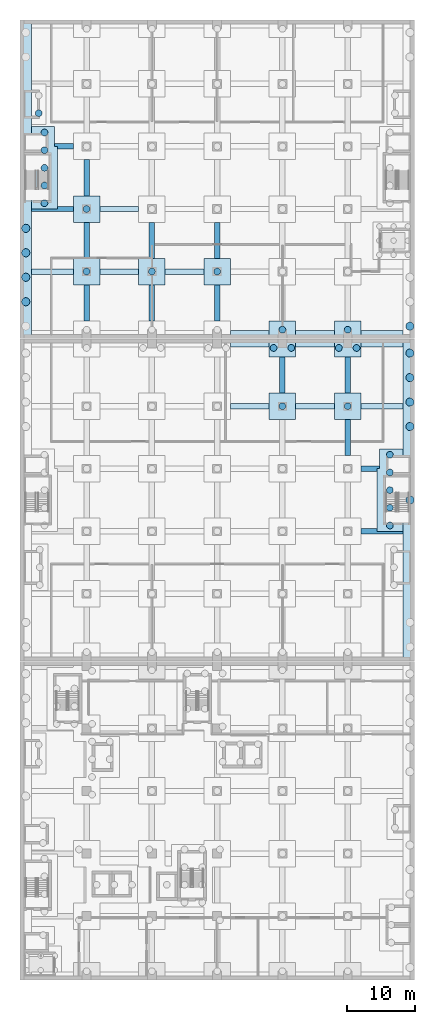
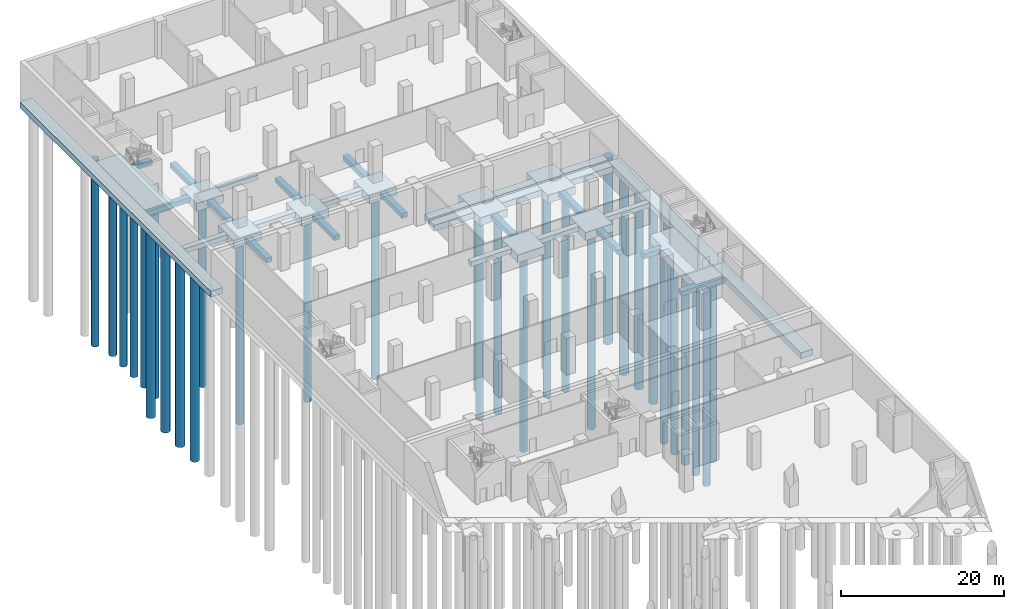
# One storey, part 6 of 33: 41 footings, 33 piles.
"""IFC4 building model written with IfcOpenShell, lengths in metres."""

from ifc_helpers import new_model, si_unit, direction, frame, origin, origin_2d, place, context, subcontext, project, spatial, polyline, circle, outline, extrude, material, layer, layer_set, material_profile, profile_set, type_object, element, save


model = new_model("IFC4")

# Units and contexts
model_context = context("Model", 3, precision=1e-05, world=origin(), true_north=direction((0.0, 1.0)))
body_context = subcontext(model_context, "Body", "Model", "MODEL_VIEW")
ifc_project = project(units=[si_unit("LENGTHUNIT", "METRE"), si_unit("AREAUNIT", "SQUARE_METRE"), si_unit("VOLUMEUNIT", "CUBIC_METRE"), si_unit("PLANEANGLEUNIT", "RADIAN"), si_unit("MASSUNIT", "GRAM", prefix="KILO")], contexts=[model_context])

# Site, building, storey
site_placement = place(None, origin())
site = spatial("IfcSite", under=ifc_project, at=site_placement, CompositionType="ELEMENT")
building_placement = place(site_placement, origin())
building = spatial("IfcBuilding", under=site, at=building_placement, Name="Nzadi Deep Aquarium and Research Tower", CompositionType="ELEMENT")
storey_placement = place(building_placement, frame((0.0, 0.0, -5.5)))
storey = spatial("IfcBuildingStorey", under=building, at=storey_placement, Name="B1", CompositionType="ELEMENT", Elevation=-5.5)

# Piles
ifc_material_1 = material(Name="Concrete C40/50", Category="concrete")
ifc_material_profile_1 = material_profile(ifc_material_1, circle(Radius=0.5, at=origin_2d()))
ifc_profile_set_1 = profile_set([ifc_material_profile_1], Name="Concrete C40/50")
pile_type_1 = type_object("IfcPileType", Name="Bored pile D1000", PredefinedType="BORED", material=ifc_profile_set_1)
for number, where, z_axis, x_axis, name in (
    (1, (54.199951171875, 66.64990234375, -1.89990234375), (0.0, 0.0, -1.0), (1.0, 0.0, 0.0), "P-Z2-19-1"),
    (2, (54.199951171875, 69.25, -1.89990234375), (0.0, 0.0, -1.0), (1.0, 0.0, 0.0), "P-Z2-19-2"),
    (3, (54.199951171875, 71.85009765625, -1.89990234375), (0.0, 0.0, -1.0), (1.0, 0.0, 0.0), "P-Z2-19-3"),
    (4, (54.199951171875, 74.449951171875, -1.89990234375), (0.0, 0.0, -1.0), (1.0, 0.0, 0.0), "P-Z2-19-4"),
    (5, (54.199951171875, 77.050048828125, -1.89990234375), (0.0, 0.0, -1.0), (1.0, 0.0, 0.0), "P-Z2-19-5"),
    (6, (38.39990234375, 84.199951171875, -1.89990234375), (0.0, 0.0, -1.0), (1.0, 0.0, 0.0), "P-Z2-28-1"),
    (7, (48.0, 84.199951171875, -1.89990234375), (0.0, 0.0, -1.0), (1.0, 0.0, 0.0), "P-Z2-29-1"),
    (8, (37.10009765625, 92.76513671875, -1.89990234375), (0.0, 0.0, -1.0), (1.0, 0.0, 0.0), "P-Z2-33-1"),
    (9, (39.699951171875, 92.76513671875, -1.89990234375), (0.0, 0.0, -1.0), (1.0, 0.0, 0.0), "P-Z2-33-2"),
    (10, (46.699951171875, 92.76513671875, -1.89990234375), (0.0, 0.0, -1.0), (1.0, 0.0, 0.0), "P-Z2-34-1"),
    (11, (49.300048828125, 92.76513671875, -1.89990234375), (0.0, 0.0, -1.0), (1.0, 0.0, 0.0), "P-Z2-34-2"),
):
    element("IfcPile", number, at=place(storey_placement, frame(where, z_axis=z_axis, x_axis=x_axis)), inside=storey, type_object=pile_type_1, Name=name, PredefinedType="BORED", context=body_context, shape_type="SweptSolid", body=[
        extrude(circle(Radius=0.5, at=origin_2d()), origin(), (0.0, 0.0, 1.0), 30.0),
    ])
for number, where, z_axis, x_axis, name in (
    (12, (38.39990234375, 95.43505859375, -1.699951171875), (0.0, 0.0, -1.0), (1.0, 0.0, 0.0), "P-Z3-04-1"),
    (13, (47.999755859375, 95.43505859375, -1.699951171875), (0.0, 0.0, -1.0), (1.0, 0.0, 0.0), "P-Z3-05-1"),
    (14, (9.60009765625, 104.0, -1.699951171875), (0.0, 0.0, -1.0), (1.0, 0.0, 0.0), "P-Z3-06-1"),
    (15, (19.199951171875, 104.0, -1.699951171875), (0.0, 0.0, -1.0), (1.0, 0.0, 0.0), "P-Z3-07-1"),
    (16, (28.800048828125, 104.0, -1.699951171875), (0.0, 0.0, -1.0), (1.0, 0.0, 0.0), "P-Z3-08-1"),
    (17, (9.60009765625, 113.2001953125, -1.699951171875), (0.0, 0.0, -1.0), (1.0, 0.0, 0.0), "P-Z3-11-1"),
    (18, (3.39990234375, 114.050048828125, -1.699951171875), (0.0, 0.0, -1.0), (1.0, 0.0, 0.0), "P-Z3-16-1"),
    (19, (3.39990234375, 116.650146484375, -1.699951171875), (0.0, 0.0, -1.0), (1.0, 0.0, 0.0), "P-Z3-16-2"),
    (20, (3.39990234375, 119.25, -1.699951171875), (0.0, 0.0, -1.0), (1.0, 0.0, 0.0), "P-Z3-16-3"),
    (21, (3.39990234375, 121.85009765625, -1.699951171875), (0.0, 0.0, -1.0), (1.0, 0.0, 0.0), "P-Z3-16-4"),
    (22, (3.39990234375, 124.4501953125, -1.699951171875), (0.0, 0.0, -1.0), (1.0, 0.0, 0.0), "P-Z3-16-5"),
    (23, (2.550048828125, 127.300048828125, -1.699951171875), (0.0, 0.0, -1.0), (1.0, 0.0, 0.0), "P-Z3-23-1"),
):
    element("IfcPile", number, at=place(storey_placement, frame(where, z_axis=z_axis, x_axis=x_axis)), inside=storey, type_object=pile_type_1, Name=name, PredefinedType="BORED", context=body_context, shape_type="SweptSolid", body=[
        extrude(circle(Radius=0.5, at=origin_2d()), origin(), (0.0, 0.0, 1.0), 28.0),
    ])
ifc_material_2 = material(Name="Concrete C40/50", Category="concrete")
ifc_material_profile_2 = material_profile(ifc_material_2, circle(Radius=0.60009765625, at=origin_2d()))
ifc_profile_set_2 = profile_set([ifc_material_profile_2], Name="Concrete C40/50")
pile_type_2 = type_object("IfcPileType", Name="Bored pile D1200", PredefinedType="BORED", material=ifc_profile_set_2)
for number, where, z_axis, x_axis, name in (
    (24, (57.14990234375, 70.39990234375, -1.60009765625), (0.0, 0.0, -1.0), (1.0, 0.0, 0.0), "P-Z2-Z2-E-3"),
    (25, (57.14990234375, 81.199951171875, -1.60009765625), (0.0, 0.0, -1.0), (1.0, 0.0, 0.0), "P-Z2-Z2-E-4"),
    (26, (57.14990234375, 84.800048828125, -1.60009765625), (0.0, 0.0, -1.0), (1.0, 0.0, 0.0), "P-Z2-Z2-E-5"),
    (27, (57.14990234375, 88.39990234375, -1.60009765625), (0.0, 0.0, -1.0), (1.0, 0.0, 0.0), "P-Z2-Z2-E-6"),
    (28, (57.14990234375, 92.0, -1.60009765625), (0.0, 0.0, -1.0), (1.0, 0.0, 0.0), "P-Z2-Z2-E-7"),
):
    element("IfcPile", number, at=place(storey_placement, frame(where, z_axis=z_axis, x_axis=x_axis)), inside=storey, type_object=pile_type_2, Name=name, PredefinedType="BORED", context=body_context, shape_type="SweptSolid", body=[
        extrude(circle(Radius=0.60009765625, at=origin_2d()), origin(), (0.0, 0.0, 1.0), 30.0),
    ])
for number, where, z_axis, x_axis, name in (
    (29, (0.64990234375, 99.56005859375, -1.39990234375), (0.0, 0.0, -1.0), (1.0, 0.0, 0.0), "P-Z3-Z3-W-2"),
    (30, (0.64990234375, 103.159912109375, -1.39990234375), (0.0, 0.0, -1.0), (1.0, 0.0, 0.0), "P-Z3-Z3-W-3"),
    (31, (0.64990234375, 106.760009765625, -1.39990234375), (0.0, 0.0, -1.0), (1.0, 0.0, 0.0), "P-Z3-Z3-W-4"),
    (32, (0.64990234375, 110.360107421875, -1.39990234375), (0.0, 0.0, -1.0), (1.0, 0.0, 0.0), "P-Z3-Z3-W-5"),
    (33, (57.14990234375, 95.9599609375, -1.39990234375), (0.0, 0.0, -1.0), (1.0, 0.0, 0.0), "P-Z3-Z3-E-1"),
):
    element("IfcPile", number, at=place(storey_placement, frame(where, z_axis=z_axis, x_axis=x_axis)), inside=storey, type_object=pile_type_2, Name=name, PredefinedType="BORED", context=body_context, shape_type="SweptSolid", body=[
        extrude(circle(Radius=0.60009765625, at=origin_2d()), origin(), (0.0, 0.0, 1.0), 28.0),
    ])

# Footings
ifc_material_3 = material(Name="Concrete C40/50", Category="concrete")
ifc_layer_1 = layer(ifc_material_3, 0.699951171875)
ifc_layer_set_1 = layer_set([ifc_layer_1], Name="Concrete C40/50")
footing_type_1 = type_object("IfcFootingType", Name="RC ground beam 700", PredefinedType="FOOTING_BEAM", material=ifc_layer_set_1)
footing_1_placement = place(storey_placement, frame((0.0, 0.0, -1.5)))
element("IfcFooting", 34, at=footing_1_placement, inside=storey, type_object=footing_type_1, Name="SF-Z2-TX9-6", PredefinedType="FOOTING_BEAM", context=body_context, shape_type="SweptSolid", body=[
    extrude(outline(polyline([(56.10009765625, 65.39990234375), (56.10009765625, 65.80126953125), (56.099853515625, 65.800048828125), (56.098876953125, 65.800048828125), (52.30126953125, 65.800048828125), (52.300048828125, 65.800048828125), (52.300048828125, 65.80126953125), (52.300048828125, 66.199951171875), (49.949951171875, 66.199951171875), (49.949951171875, 65.39990234375), (56.10009765625, 65.39990234375)])), origin(), (0.0, 0.0, 1.0), 0.699951171875),
])
footing_2_placement = place(storey_placement, frame((0.0, 0.0, -1.5)))
element("IfcFooting", 35, at=footing_2_placement, inside=storey, type_object=footing_type_1, Name="SF-Z2-TX10-6", PredefinedType="FOOTING_BEAM", context=body_context, shape_type="SweptSolid", body=[
    extrude(outline(polyline([(52.699951171875, 75.39990234375), (49.949951171875, 75.39990234375), (49.949951171875, 74.60009765625), (52.300048828125, 74.60009765625), (52.300048828125, 74.998779296875), (52.300048828125, 75.0), (52.30126953125, 75.0), (52.64990234375, 75.0), (52.65478515625, 75.000244140625), (52.65966796875, 75.0009765625), (52.66455078125, 75.002197265625), (52.669189453125, 75.00390625), (52.673583984375, 75.005859375), (52.677734375, 75.008544921875), (52.681640625, 75.01123046875), (52.685302734375, 75.0146484375), (52.688720703125, 75.018310546875), (52.691650390625, 75.022216796875), (52.694091796875, 75.0263671875), (52.6962890625, 75.03076171875), (52.69775390625, 75.035400390625), (52.698974609375, 75.040283203125), (52.69970703125, 75.045166015625), (52.699951171875, 75.050048828125), (52.699951171875, 75.39990234375)])), origin(), (0.0, 0.0, 1.0), 0.699951171875),
])
footing_3_placement = place(storey_placement, frame((0.0, 0.0, -1.5)))
element("IfcFooting", 36, at=footing_3_placement, inside=storey, type_object=footing_type_1, Name="SF-Z2-TX11-4", PredefinedType="FOOTING_BEAM", context=body_context, shape_type="SweptSolid", body=[
    extrude(outline(polyline([(36.449951171875, 84.60009765625), (30.75, 84.60009765625), (30.75, 83.800048828125), (36.449951171875, 83.800048828125), (36.449951171875, 84.60009765625)])), origin(), (0.0, 0.0, 1.0), 0.699951171875),
])
footing_4_placement = place(storey_placement, frame((0.0, 0.0, -1.5)))
element("IfcFooting", 37, at=footing_4_placement, inside=storey, type_object=footing_type_1, Name="SF-Z2-TX11-5", PredefinedType="FOOTING_BEAM", context=body_context, shape_type="SweptSolid", body=[
    extrude(outline(polyline([(46.050048828125, 84.60009765625), (40.35009765625, 84.60009765625), (40.35009765625, 83.800048828125), (46.050048828125, 83.800048828125), (46.050048828125, 84.60009765625)])), origin(), (0.0, 0.0, 1.0), 0.699951171875),
])
footing_5_placement = place(storey_placement, frame((0.0, 0.0, -1.5)))
element("IfcFooting", 38, at=footing_5_placement, inside=storey, type_object=footing_type_1, Name="SF-Z2-TX11-6", PredefinedType="FOOTING_BEAM", context=body_context, shape_type="SweptSolid", body=[
    extrude(outline(polyline([(56.10009765625, 83.800048828125), (56.10009765625, 84.60009765625), (49.949951171875, 84.60009765625), (49.949951171875, 83.800048828125), (56.10009765625, 83.800048828125)])), origin(), (0.0, 0.0, 1.0), 0.699951171875),
])
footing_6_placement = place(storey_placement, frame((0.0, 0.0, -1.5)))
element("IfcFooting", 39, at=footing_6_placement, inside=storey, type_object=footing_type_1, Name="SF-Z2-TYE-5", PredefinedType="FOOTING_BEAM", context=body_context, shape_type="SweptSolid", body=[
    extrude(outline(polyline([(38.800048828125, 86.14990234375), (38.800048828125, 91.449951171875), (38.0, 91.449951171875), (38.0, 86.14990234375), (38.800048828125, 86.14990234375)])), origin(), (0.0, 0.0, 1.0), 0.699951171875),
])
footing_7_placement = place(storey_placement, frame((0.0, 0.0, -1.5)))
element("IfcFooting", 40, at=footing_7_placement, inside=storey, type_object=footing_type_1, Name="SF-Z2-TYF-4", PredefinedType="FOOTING_BEAM", context=body_context, shape_type="SweptSolid", body=[
    extrude(outline(polyline([(48.39990234375, 76.949951171875), (48.39990234375, 82.25), (47.60009765625, 82.25), (47.60009765625, 76.949951171875), (48.39990234375, 76.949951171875)])), origin(), (0.0, 0.0, 1.0), 0.699951171875),
])
footing_8_placement = place(storey_placement, frame((0.0, 0.0, -1.5)))
element("IfcFooting", 41, at=footing_8_placement, inside=storey, type_object=footing_type_1, Name="SF-Z2-TYF-5", PredefinedType="FOOTING_BEAM", context=body_context, shape_type="SweptSolid", body=[
    extrude(outline(polyline([(48.39990234375, 86.14990234375), (48.39990234375, 91.449951171875), (47.60009765625, 91.449951171875), (47.60009765625, 86.14990234375), (48.39990234375, 86.14990234375)])), origin(), (0.0, 0.0, 1.0), 0.699951171875),
])
footing_9_placement = place(storey_placement, frame((0.0, 0.0, -1.300048828125)))
element("IfcFooting", 42, at=footing_9_placement, inside=storey, type_object=footing_type_1, Name="SF-Z3-TX14-1", PredefinedType="FOOTING_BEAM", context=body_context, shape_type="SweptSolid", body=[
    extrude(outline(polyline([(7.64990234375, 104.39990234375), (1.5, 104.39990234375), (1.5, 103.60009765625), (7.64990234375, 103.60009765625), (7.64990234375, 104.39990234375)])), origin(), (0.0, 0.0, 1.0), 0.699951171875),
])
footing_10_placement = place(storey_placement, frame((0.0, 0.0, -1.300048828125)))
element("IfcFooting", 43, at=footing_10_placement, inside=storey, type_object=footing_type_1, Name="SF-Z3-TX14-2", PredefinedType="FOOTING_BEAM", context=body_context, shape_type="SweptSolid", body=[
    extrude(outline(polyline([(17.25, 104.39990234375), (11.550048828125, 104.39990234375), (11.550048828125, 103.60009765625), (17.25, 103.60009765625), (17.25, 104.39990234375)])), origin(), (0.0, 0.0, 1.0), 0.699951171875),
])
footing_11_placement = place(storey_placement, frame((0.0, 0.0, -1.300048828125)))
element("IfcFooting", 44, at=footing_11_placement, inside=storey, type_object=footing_type_1, Name="SF-Z3-TX14-3", PredefinedType="FOOTING_BEAM", context=body_context, shape_type="SweptSolid", body=[
    extrude(outline(polyline([(26.85009765625, 104.39990234375), (21.14990234375, 104.39990234375), (21.14990234375, 103.60009765625), (26.85009765625, 103.60009765625), (26.85009765625, 104.39990234375)])), origin(), (0.0, 0.0, 1.0), 0.699951171875),
])
footing_12_placement = place(storey_placement, frame((0.0, 0.0, -1.300048828125)))
element("IfcFooting", 45, at=footing_12_placement, inside=storey, type_object=footing_type_1, Name="SF-Z3-TX15-1", PredefinedType="FOOTING_BEAM", context=body_context, shape_type="SweptSolid", body=[
    extrude(outline(polyline([(7.64990234375, 113.60009765625), (5.300048828125, 113.60009765625), (5.300048828125, 113.201171875), (5.300048828125, 113.199951171875), (5.298828125, 113.199951171875), (1.501220703125, 113.199951171875), (1.5, 113.199951171875), (1.5, 113.201171875), (1.5, 112.800048828125), (7.64990234375, 112.800048828125), (7.64990234375, 113.60009765625)])), origin(), (0.0, 0.0, 1.0), 0.699951171875),
])
footing_13_placement = place(storey_placement, frame((0.0, 0.0, -1.300048828125)))
element("IfcFooting", 46, at=footing_13_placement, inside=storey, type_object=footing_type_1, Name="SF-Z3-TX15-2", PredefinedType="FOOTING_BEAM", context=body_context, shape_type="SweptSolid", body=[
    extrude(outline(polyline([(17.25, 113.60009765625), (11.550048828125, 113.60009765625), (11.550048828125, 112.800048828125), (17.25, 112.800048828125), (17.25, 113.60009765625)])), origin(), (0.0, 0.0, 1.0), 0.699951171875),
])
footing_14_placement = place(storey_placement, frame((0.0, 0.0, -1.300048828125)))
element("IfcFooting", 47, at=footing_14_placement, inside=storey, type_object=footing_type_1, Name="SF-Z3-TX16-1", PredefinedType="FOOTING_BEAM", context=body_context, shape_type="SweptSolid", body=[
    extrude(outline(polyline([(7.64990234375, 122.800048828125), (4.89990234375, 122.800048828125), (4.89990234375, 122.449951171875), (4.900146484375, 122.445068359375), (4.90087890625, 122.440185546875), (4.902099609375, 122.435546875), (4.90380859375, 122.430908203125), (4.906005859375, 122.426513671875), (4.908447265625, 122.422119140625), (4.911376953125, 122.418212890625), (4.91455078125, 122.41455078125), (4.918212890625, 122.411376953125), (4.922119140625, 122.408447265625), (4.926513671875, 122.406005859375), (4.930908203125, 122.40380859375), (4.935546875, 122.402099609375), (4.940185546875, 122.40087890625), (4.945068359375, 122.400146484375), (4.949951171875, 122.39990234375), (5.298828125, 122.39990234375), (5.300048828125, 122.39990234375), (5.300048828125, 122.398681640625), (5.300048828125, 122.0), (7.64990234375, 122.0), (7.64990234375, 122.800048828125)])), origin(), (0.0, 0.0, 1.0), 0.699951171875),
])
footing_15_placement = place(storey_placement, frame((0.0, 0.0, -1.300048828125)))
element("IfcFooting", 48, at=footing_15_placement, inside=storey, type_object=footing_type_1, Name="SF-Z3-TYB-1", PredefinedType="FOOTING_BEAM", context=body_context, shape_type="SweptSolid", body=[
    extrude(outline(polyline([(10.0, 96.75), (10.0, 102.050048828125), (9.199951171875, 102.050048828125), (9.199951171875, 96.75), (10.0, 96.75)])), origin(), (0.0, 0.0, 1.0), 0.699951171875),
])
footing_16_placement = place(storey_placement, frame((0.0, 0.0, -1.300048828125)))
element("IfcFooting", 49, at=footing_16_placement, inside=storey, type_object=footing_type_1, Name="SF-Z3-TYB-2", PredefinedType="FOOTING_BEAM", context=body_context, shape_type="SweptSolid", body=[
    extrude(outline(polyline([(10.0, 105.949951171875), (10.0, 111.25), (9.199951171875, 111.25), (9.199951171875, 105.949951171875), (10.0, 105.949951171875)])), origin(), (0.0, 0.0, 1.0), 0.699951171875),
])
footing_17_placement = place(storey_placement, frame((0.0, 0.0, -1.300048828125)))
element("IfcFooting", 50, at=footing_17_placement, inside=storey, type_object=footing_type_1, Name="SF-Z3-TYB-3", PredefinedType="FOOTING_BEAM", context=body_context, shape_type="SweptSolid", body=[
    extrude(outline(polyline([(10.0, 115.14990234375), (10.0, 120.449951171875), (9.199951171875, 120.449951171875), (9.199951171875, 115.14990234375), (10.0, 115.14990234375)])), origin(), (0.0, 0.0, 1.0), 0.699951171875),
])
footing_18_placement = place(storey_placement, frame((0.0, 0.0, -1.300048828125)))
element("IfcFooting", 51, at=footing_18_placement, inside=storey, type_object=footing_type_1, Name="SF-Z3-TYC-1", PredefinedType="FOOTING_BEAM", context=body_context, shape_type="SweptSolid", body=[
    extrude(outline(polyline([(19.60009765625, 96.75), (19.60009765625, 102.050048828125), (18.800048828125, 102.050048828125), (18.800048828125, 96.75), (19.60009765625, 96.75)])), origin(), (0.0, 0.0, 1.0), 0.699951171875),
])
footing_19_placement = place(storey_placement, frame((0.0, 0.0, -1.300048828125)))
element("IfcFooting", 52, at=footing_19_placement, inside=storey, type_object=footing_type_1, Name="SF-Z3-TYC-2", PredefinedType="FOOTING_BEAM", context=body_context, shape_type="SweptSolid", body=[
    extrude(outline(polyline([(19.60009765625, 105.949951171875), (19.60009765625, 111.25), (18.800048828125, 111.25), (18.800048828125, 105.949951171875), (19.60009765625, 105.949951171875)])), origin(), (0.0, 0.0, 1.0), 0.699951171875),
])
footing_20_placement = place(storey_placement, frame((0.0, 0.0, -1.300048828125)))
element("IfcFooting", 53, at=footing_20_placement, inside=storey, type_object=footing_type_1, Name="SF-Z3-TYD-1", PredefinedType="FOOTING_BEAM", context=body_context, shape_type="SweptSolid", body=[
    extrude(outline(polyline([(29.199951171875, 96.75), (29.199951171875, 102.050048828125), (28.39990234375, 102.050048828125), (28.39990234375, 96.75), (29.199951171875, 96.75)])), origin(), (0.0, 0.0, 1.0), 0.699951171875),
])
footing_21_placement = place(storey_placement, frame((0.0, 0.0, -1.300048828125)))
element("IfcFooting", 54, at=footing_21_placement, inside=storey, type_object=footing_type_1, Name="SF-Z3-TYD-2", PredefinedType="FOOTING_BEAM", context=body_context, shape_type="SweptSolid", body=[
    extrude(outline(polyline([(29.199951171875, 105.949951171875), (29.199951171875, 111.25), (28.39990234375, 111.25), (28.39990234375, 105.949951171875), (29.199951171875, 105.949951171875)])), origin(), (0.0, 0.0, 1.0), 0.699951171875),
])
ifc_material_4 = material(Name="Concrete C40/50", Category="concrete")
ifc_layer_2 = layer(ifc_material_4, 1.199951171875)
ifc_layer_set_2 = layer_set([ifc_layer_2], Name="Concrete C40/50")
footing_type_2 = type_object("IfcFootingType", Name="RC pile cap 1200", PredefinedType="PILE_CAP", material=ifc_layer_set_2)
footing_22_placement = place(storey_placement, frame((0.0, 0.0, -2.0)))
element("IfcFooting", 55, at=footing_22_placement, inside=storey, type_object=footing_type_2, Name="PC-Z2-19", PredefinedType="PILE_CAP", context=body_context, shape_type="SweptSolid", body=[
    extrude(outline(polyline([(52.300048828125, 65.80126953125), (52.300048828125, 65.800048828125), (52.30126953125, 65.800048828125), (56.098876953125, 65.800048828125), (56.099853515625, 65.800048828125), (56.10009765625, 65.80126953125), (56.10009765625, 77.898681640625), (56.099853515625, 77.89990234375), (56.098876953125, 77.89990234375), (52.701171875, 77.89990234375), (52.699951171875, 77.89990234375), (52.699951171875, 77.898681640625), (52.699951171875, 75.050048828125), (52.69970703125, 75.045166015625), (52.698974609375, 75.040283203125), (52.69775390625, 75.035400390625), (52.6962890625, 75.03076171875), (52.694091796875, 75.0263671875), (52.691650390625, 75.022216796875), (52.688720703125, 75.018310546875), (52.685302734375, 75.0146484375), (52.681640625, 75.01123046875), (52.677734375, 75.008544921875), (52.673583984375, 75.005859375), (52.669189453125, 75.00390625), (52.66455078125, 75.002197265625), (52.65966796875, 75.0009765625), (52.65478515625, 75.000244140625), (52.64990234375, 75.0), (52.30126953125, 75.0), (52.300048828125, 75.0), (52.300048828125, 74.998779296875), (52.300048828125, 65.80126953125)])), origin(), (0.0, 0.0, 1.0), 1.199951171875),
])
footing_23_placement = place(storey_placement, frame((0.0, 0.0, -2.0)))
element("IfcFooting", 56, at=footing_23_placement, inside=storey, type_object=footing_type_2, Name="PC-Z2-28", PredefinedType="PILE_CAP", context=body_context, shape_type="SweptSolid", body=[
    extrude(outline(polyline([(36.449951171875, 82.251220703125), (36.449951171875, 82.25), (36.451171875, 82.25), (40.348876953125, 82.25), (40.349853515625, 82.25), (40.35009765625, 82.251220703125), (40.35009765625, 86.148681640625), (40.349853515625, 86.14990234375), (40.348876953125, 86.14990234375), (36.451171875, 86.14990234375), (36.449951171875, 86.14990234375), (36.449951171875, 86.148681640625), (36.449951171875, 82.251220703125)])), origin(), (0.0, 0.0, 1.0), 1.199951171875),
])
footing_24_placement = place(storey_placement, frame((0.0, 0.0, -2.0)))
element("IfcFooting", 57, at=footing_24_placement, inside=storey, type_object=footing_type_2, Name="PC-Z2-29", PredefinedType="PILE_CAP", context=body_context, shape_type="SweptSolid", body=[
    extrude(outline(polyline([(46.050048828125, 82.251220703125), (46.050048828125, 82.25), (46.05126953125, 82.25), (49.94873046875, 82.25), (49.949951171875, 82.25), (49.949951171875, 82.251220703125), (49.949951171875, 86.148681640625), (49.949951171875, 86.14990234375), (49.94873046875, 86.14990234375), (46.05126953125, 86.14990234375), (46.050048828125, 86.14990234375), (46.050048828125, 86.148681640625), (46.050048828125, 82.251220703125)])), origin(), (0.0, 0.0, 1.0), 1.199951171875),
])
footing_25_placement = place(storey_placement, frame((0.0, 0.0, -2.0)))
element("IfcFooting", 58, at=footing_25_placement, inside=storey, type_object=footing_type_2, Name="PC-Z2-33", PredefinedType="PILE_CAP", context=body_context, shape_type="SweptSolid", body=[
    extrude(outline(polyline([(36.449951171875, 91.451171875), (36.449951171875, 91.449951171875), (36.451171875, 91.449951171875), (40.348876953125, 91.449951171875), (40.349853515625, 91.449951171875), (40.35009765625, 91.451171875), (40.35009765625, 94.080078125), (36.449951171875, 94.080078125), (36.449951171875, 91.451171875)])), origin(), (0.0, 0.0, 1.0), 1.199951171875),
])
footing_26_placement = place(storey_placement, frame((0.0, 0.0, -2.0)))
element("IfcFooting", 59, at=footing_26_placement, inside=storey, type_object=footing_type_2, Name="PC-Z2-34", PredefinedType="PILE_CAP", context=body_context, shape_type="SweptSolid", body=[
    extrude(outline(polyline([(46.050048828125, 91.451171875), (46.050048828125, 91.449951171875), (46.05126953125, 91.449951171875), (49.94873046875, 91.449951171875), (49.949951171875, 91.449951171875), (49.949951171875, 91.451171875), (49.949951171875, 94.080078125), (46.050048828125, 94.080078125), (46.050048828125, 91.451171875)])), origin(), (0.0, 0.0, 1.0), 1.199951171875),
])
footing_27_placement = place(storey_placement, frame((0.0, 0.0, -1.800048828125)))
element("IfcFooting", 60, at=footing_27_placement, inside=storey, type_object=footing_type_2, Name="PC-Z3-04", PredefinedType="PILE_CAP", context=body_context, shape_type="SweptSolid", body=[
    extrude(outline(polyline([(36.449951171875, 96.75), (36.449951171875, 96.748779296875), (36.449951171875, 94.1201171875), (40.35009765625, 94.1201171875), (40.35009765625, 96.748779296875), (40.349853515625, 96.75), (40.348876953125, 96.75), (36.451171875, 96.75), (36.449951171875, 96.75)])), origin(), (0.0, 0.0, 1.0), 1.199951171875),
])
footing_28_placement = place(storey_placement, frame((0.0, 0.0, -1.800048828125)))
element("IfcFooting", 61, at=footing_28_placement, inside=storey, type_object=footing_type_2, Name="PC-Z3-05", PredefinedType="PILE_CAP", context=body_context, shape_type="SweptSolid", body=[
    extrude(outline(polyline([(46.050048828125, 96.75), (46.050048828125, 96.748779296875), (46.050048828125, 94.1201171875), (49.949951171875, 94.1201171875), (49.949951171875, 96.748779296875), (49.949951171875, 96.75), (49.94873046875, 96.75), (46.05126953125, 96.75), (46.050048828125, 96.75)])), origin(), (0.0, 0.0, 1.0), 1.199951171875),
])
footing_29_placement = place(storey_placement, frame((0.0, 0.0, -1.800048828125)))
element("IfcFooting", 62, at=footing_29_placement, inside=storey, type_object=footing_type_2, Name="PC-Z3-06", PredefinedType="PILE_CAP", context=body_context, shape_type="SweptSolid", body=[
    extrude(outline(polyline([(7.64990234375, 105.94873046875), (7.64990234375, 102.05126953125), (7.650146484375, 102.050048828125), (7.651123046875, 102.050048828125), (11.548828125, 102.050048828125), (11.550048828125, 102.050048828125), (11.550048828125, 102.05126953125), (11.550048828125, 105.94873046875), (11.550048828125, 105.949951171875), (11.548828125, 105.949951171875), (7.651123046875, 105.949951171875), (7.650146484375, 105.949951171875), (7.64990234375, 105.94873046875)])), origin(), (0.0, 0.0, 1.0), 1.199951171875),
])
footing_30_placement = place(storey_placement, frame((0.0, 0.0, -1.800048828125)))
element("IfcFooting", 63, at=footing_30_placement, inside=storey, type_object=footing_type_2, Name="PC-Z3-07", PredefinedType="PILE_CAP", context=body_context, shape_type="SweptSolid", body=[
    extrude(outline(polyline([(17.25, 105.94873046875), (17.25, 102.05126953125), (17.25, 102.050048828125), (17.251220703125, 102.050048828125), (21.148681640625, 102.050048828125), (21.14990234375, 102.050048828125), (21.14990234375, 102.05126953125), (21.14990234375, 105.94873046875), (21.14990234375, 105.949951171875), (21.148681640625, 105.949951171875), (17.251220703125, 105.949951171875), (17.25, 105.949951171875), (17.25, 105.94873046875)])), origin(), (0.0, 0.0, 1.0), 1.199951171875),
])
footing_31_placement = place(storey_placement, frame((0.0, 0.0, -1.800048828125)))
element("IfcFooting", 64, at=footing_31_placement, inside=storey, type_object=footing_type_2, Name="PC-Z3-08", PredefinedType="PILE_CAP", context=body_context, shape_type="SweptSolid", body=[
    extrude(outline(polyline([(26.85009765625, 105.94873046875), (26.85009765625, 102.05126953125), (26.85009765625, 102.050048828125), (26.851318359375, 102.050048828125), (30.748779296875, 102.050048828125), (30.75, 102.050048828125), (30.75, 102.05126953125), (30.75, 105.94873046875), (30.75, 105.949951171875), (30.748779296875, 105.949951171875), (26.851318359375, 105.949951171875), (26.85009765625, 105.949951171875), (26.85009765625, 105.94873046875)])), origin(), (0.0, 0.0, 1.0), 1.199951171875),
])
footing_32_placement = place(storey_placement, frame((0.0, 0.0, -1.800048828125)))
element("IfcFooting", 65, at=footing_32_placement, inside=storey, type_object=footing_type_2, Name="PC-Z3-11", PredefinedType="PILE_CAP", context=body_context, shape_type="SweptSolid", body=[
    extrude(outline(polyline([(7.64990234375, 115.148681640625), (7.64990234375, 111.251220703125), (7.650146484375, 111.25), (7.651123046875, 111.25), (11.548828125, 111.25), (11.550048828125, 111.25), (11.550048828125, 111.251220703125), (11.550048828125, 115.148681640625), (11.550048828125, 115.14990234375), (11.548828125, 115.14990234375), (7.651123046875, 115.14990234375), (7.650146484375, 115.14990234375), (7.64990234375, 115.148681640625)])), origin(), (0.0, 0.0, 1.0), 1.199951171875),
])
footing_33_placement = place(storey_placement, frame((0.0, 0.0, -1.800048828125)))
element("IfcFooting", 66, at=footing_33_placement, inside=storey, type_object=footing_type_2, Name="PC-Z3-16", PredefinedType="PILE_CAP", context=body_context, shape_type="SweptSolid", body=[
    extrude(outline(polyline([(1.5, 125.298828125), (1.5, 113.201171875), (1.5, 113.199951171875), (1.501220703125, 113.199951171875), (5.298828125, 113.199951171875), (5.300048828125, 113.199951171875), (5.300048828125, 113.201171875), (5.300048828125, 122.398681640625), (5.300048828125, 122.39990234375), (5.298828125, 122.39990234375), (4.949951171875, 122.39990234375), (4.945068359375, 122.400146484375), (4.940185546875, 122.40087890625), (4.935546875, 122.402099609375), (4.930908203125, 122.40380859375), (4.926513671875, 122.406005859375), (4.922119140625, 122.408447265625), (4.918212890625, 122.411376953125), (4.91455078125, 122.41455078125), (4.911376953125, 122.418212890625), (4.908447265625, 122.422119140625), (4.906005859375, 122.426513671875), (4.90380859375, 122.430908203125), (4.902099609375, 122.435546875), (4.90087890625, 122.440185546875), (4.900146484375, 122.445068359375), (4.89990234375, 122.449951171875), (4.89990234375, 125.298828125), (4.89990234375, 125.300048828125), (4.898681640625, 125.300048828125), (1.501220703125, 125.300048828125), (1.5, 125.300048828125), (1.5, 125.298828125)])), origin(), (0.0, 0.0, 1.0), 1.199951171875),
])
ifc_material_5 = material(Name="Concrete C40/50", Category="concrete")
ifc_layer_3 = layer(ifc_material_5, 0.89990234375)
ifc_layer_set_3 = layer_set([ifc_layer_3], Name="Concrete C40/50")
footing_type_3 = type_object("IfcFootingType", Name="RC strip footing 900", PredefinedType="STRIP_FOOTING", material=ifc_layer_set_3)
footing_34_placement = place(storey_placement, frame((0.0, 0.0, -1.699951171875)))
element("IfcFooting", 67, at=footing_34_placement, inside=storey, type_object=footing_type_3, Name="SF-Z2-E", PredefinedType="STRIP_FOOTING", context=body_context, shape_type="SweptSolid", body=[
    extrude(outline(polyline([(57.799560546875, 46.719970703125), (57.799560546875, 94.080078125), (56.10009765625, 94.080078125), (56.10009765625, 46.719970703125), (57.799560546875, 46.719970703125)])), origin(), (0.0, 0.0, 1.0), 0.89990234375),
])
footing_35_placement = place(storey_placement, frame((0.0, 0.0, -1.5)))
element("IfcFooting", 68, at=footing_35_placement, inside=storey, type_object=footing_type_3, Name="SF-Z3-W", PredefinedType="STRIP_FOOTING", context=body_context, shape_type="SweptSolid", body=[
    extrude(outline(polyline([(1.5, 94.1201171875), (1.5, 141.0), (-0.199462890625, 141.0), (-0.199462890625, 94.1201171875), (1.5, 94.1201171875)])), origin(), (0.0, 0.0, 1.0), 0.89990234375),
])
footing_36_placement = place(storey_placement, frame((0.0, 0.0, -1.699951171875)))
element("IfcFooting", 69, at=footing_36_placement, inside=storey, type_object=footing_type_3, Name="SF-Z2-N-1", PredefinedType="STRIP_FOOTING", context=body_context, shape_type="SweptSolid", body=[
    extrude(outline(polyline([(56.10009765625, 94.080078125), (49.949951171875, 94.080078125), (49.949951171875, 92.8798828125), (56.10009765625, 92.8798828125), (56.10009765625, 94.080078125)])), origin(), (0.0, 0.0, 1.0), 0.89990234375),
])
footing_37_placement = place(storey_placement, frame((0.0, 0.0, -1.699951171875)))
element("IfcFooting", 70, at=footing_37_placement, inside=storey, type_object=footing_type_3, Name="SF-Z2-N-2", PredefinedType="STRIP_FOOTING", context=body_context, shape_type="SweptSolid", body=[
    extrude(outline(polyline([(46.050048828125, 94.080078125), (40.35009765625, 94.080078125), (40.35009765625, 92.8798828125), (46.050048828125, 92.8798828125), (46.050048828125, 94.080078125)])), origin(), (0.0, 0.0, 1.0), 0.89990234375),
])
footing_38_placement = place(storey_placement, frame((0.0, 0.0, -1.699951171875)))
element("IfcFooting", 71, at=footing_38_placement, inside=storey, type_object=footing_type_3, Name="SF-Z2-N-3", PredefinedType="STRIP_FOOTING", context=body_context, shape_type="SweptSolid", body=[
    extrude(outline(polyline([(36.449951171875, 94.080078125), (30.75, 94.080078125), (30.75, 92.8798828125), (36.449951171875, 92.8798828125), (36.449951171875, 94.080078125)])), origin(), (0.0, 0.0, 1.0), 0.89990234375),
])
footing_39_placement = place(storey_placement, frame((0.0, 0.0, -1.5)))
element("IfcFooting", 72, at=footing_39_placement, inside=storey, type_object=footing_type_3, Name="SF-Z3-S-1", PredefinedType="STRIP_FOOTING", context=body_context, shape_type="SweptSolid", body=[
    extrude(outline(polyline([(56.10009765625, 95.320068359375), (49.949951171875, 95.320068359375), (49.949951171875, 94.1201171875), (56.10009765625, 94.1201171875), (56.10009765625, 95.320068359375)])), origin(), (0.0, 0.0, 1.0), 0.89990234375),
])
footing_40_placement = place(storey_placement, frame((0.0, 0.0, -1.5)))
element("IfcFooting", 73, at=footing_40_placement, inside=storey, type_object=footing_type_3, Name="SF-Z3-S-2", PredefinedType="STRIP_FOOTING", context=body_context, shape_type="SweptSolid", body=[
    extrude(outline(polyline([(46.050048828125, 95.320068359375), (40.35009765625, 95.320068359375), (40.35009765625, 94.1201171875), (46.050048828125, 94.1201171875), (46.050048828125, 95.320068359375)])), origin(), (0.0, 0.0, 1.0), 0.89990234375),
])
footing_41_placement = place(storey_placement, frame((0.0, 0.0, -1.5)))
element("IfcFooting", 74, at=footing_41_placement, inside=storey, type_object=footing_type_3, Name="SF-Z3-S-3", PredefinedType="STRIP_FOOTING", context=body_context, shape_type="SweptSolid", body=[
    extrude(outline(polyline([(36.449951171875, 95.320068359375), (30.75, 95.320068359375), (30.75, 94.1201171875), (36.449951171875, 94.1201171875), (36.449951171875, 95.320068359375)])), origin(), (0.0, 0.0, 1.0), 0.89990234375),
])

save(model, "model.ifc")
